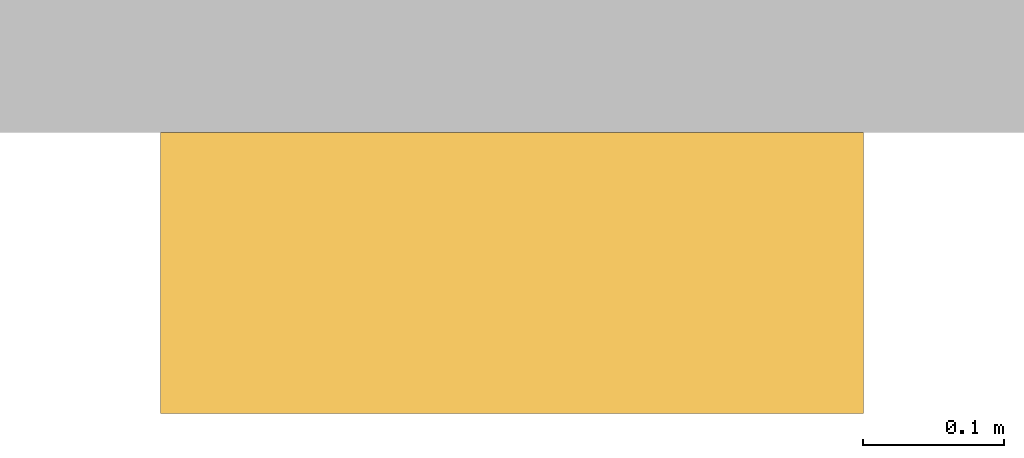
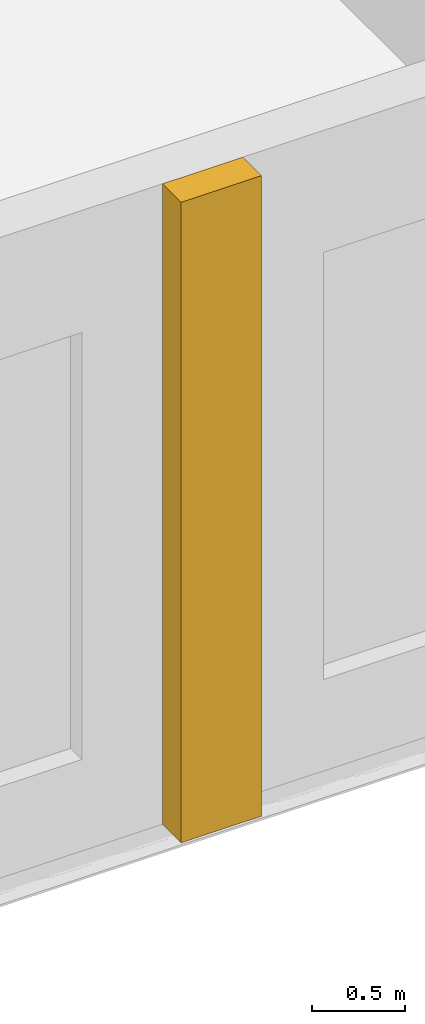
# One storey, part 5 of 7: 1 covering.
"""IFC4 building model written with IfcOpenShell, lengths in metres."""

from ifc_helpers import new_model, si_unit, direction, frame, origin, origin_2d, place, context, subcontext, project, spatial, rectangle, extrude, material, layer, layer_set, type_object, element, save


model = new_model("IFC4")

# Units and contexts
model_context = context("Model", 3, precision=1e-05, world=origin(), true_north=direction((0.0, 1.0)))
body_context = subcontext(model_context, "Body", "Model", "MODEL_VIEW")
ifc_project = project(units=[si_unit("LENGTHUNIT", "METRE"), si_unit("AREAUNIT", "SQUARE_METRE"), si_unit("VOLUMEUNIT", "CUBIC_METRE"), si_unit("PLANEANGLEUNIT", "RADIAN"), si_unit("MASSUNIT", "GRAM", prefix="KILO")], contexts=[model_context])

# Site, building, storey
site_placement = place(None, origin())
site = spatial("IfcSite", under=ifc_project, at=site_placement, CompositionType="ELEMENT")
building_placement = place(site_placement, origin())
building = spatial("IfcBuilding", under=site, at=building_placement, Name="Hortulan Conservatory and Botanical Research Centre", CompositionType="ELEMENT")
storey_placement = place(building_placement, frame((0.0, 0.0, 61.199951171875)))
storey = spatial("IfcBuildingStorey", under=building, at=storey_placement, Name="L14", CompositionType="ELEMENT", Elevation=61.199951171875)

# Covering
ifc_material = material(Name="Verdigris copper-green zinc cladding on lightweight framing", Category="metal")
ifc_layer = layer(ifc_material, 0.199951171875)
ifc_layer_set = layer_set([ifc_layer], Name="Verdigris Zinc Pilaster 500x200")
covering_type = type_object("IfcCoveringType", Name="Verdigris Zinc Pilaster 500x200", PredefinedType="CLADDING", material=ifc_layer_set)
covering_placement = place(storey_placement, frame((13.5, -0.68603515625, 0.0), z_axis=(0.0, 0.0, 1.0), x_axis=(-1.0, 0.0, 0.0)))
element("IfcCovering", 1, at=covering_placement, inside=storey, type_object=covering_type, Name="Pier", PredefinedType="CLADDING", context=body_context, shape_type="SweptSolid", body=[
    extrude(rectangle(XDim=0.5, YDim=0.199951171875, at=origin_2d()), origin(), (0.0, 0.0, 1.0), 4.199951171875),
])

save(model, "model.ifc")
